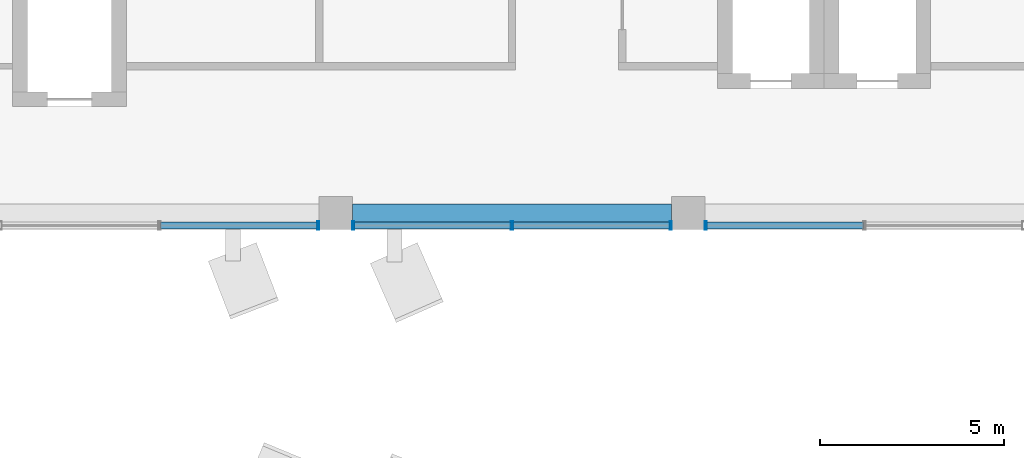
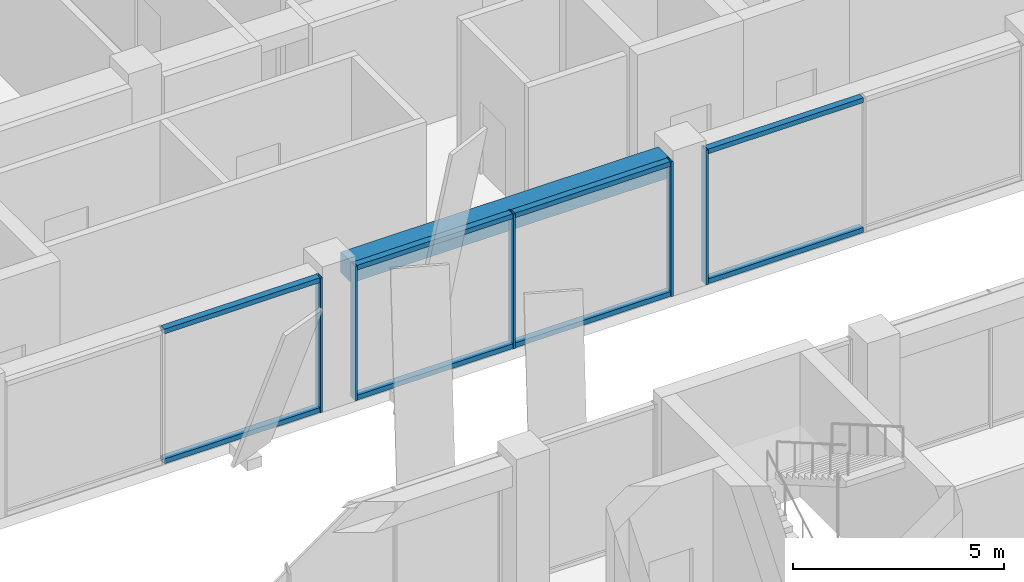
# One storey, part 10 of 36: 13 members, 1 beam, 3 elements without a shape of their own.
"""IFC4 building model written with IfcOpenShell, lengths in metres."""

from ifc_helpers import new_model, si_unit, direction, frame, origin, origin_2d, place, context, subcontext, project, spatial, rectangle, hollow_rectangle, extrude, material, layer, layer_set, material_profile, profile_set, type_object, element, aggregate, save


model = new_model("IFC4")

# Units and contexts
model_context = context("Model", 3, precision=1e-05, world=origin(), true_north=direction((0.0, 1.0)))
body_context = subcontext(model_context, "Body", "Model", "MODEL_VIEW")
ifc_project = project(units=[si_unit("LENGTHUNIT", "METRE"), si_unit("AREAUNIT", "SQUARE_METRE"), si_unit("VOLUMEUNIT", "CUBIC_METRE"), si_unit("PLANEANGLEUNIT", "RADIAN"), si_unit("MASSUNIT", "GRAM", prefix="KILO")], contexts=[model_context])

# Site, building, storey
site_placement = place(None, origin())
site = spatial("IfcSite", under=ifc_project, at=site_placement, CompositionType="ELEMENT")
building_placement = place(site_placement, origin())
building = spatial("IfcBuilding", under=site, at=building_placement, Name="Nzadi Deep Aquarium and Research Tower", CompositionType="ELEMENT")
storey_placement = place(building_placement, frame((0.0, 0.0, 36.10009765625)))
storey = spatial("IfcBuildingStorey", under=building, at=storey_placement, Name="L06", CompositionType="ELEMENT", Elevation=36.10009765625)

# Curtain wall, member
ifc_material_1 = material(Name="Aluminium unitised frame deep", Category="aluminium")
ifc_layer = layer(ifc_material_1, 0.22509765625)
ifc_layer_set = layer_set([ifc_layer], Name="Aluminium unitised frame deep")
curtain_wall_type = type_object("IfcCurtainWallType", Name="Curtain wall Unitised Deep 225", PredefinedType="NOTDEFINED", material=ifc_layer_set)
curtain_wall_1_placement = place(storey_placement, origin())
curtain_wall_1 = element("IfcCurtainWall", 1, at=curtain_wall_1_placement, inside=storey, type_object=curtain_wall_type, Name="Unitised curtain wall blade B south L06", PredefinedType="NOTDEFINED")
ifc_material_2 = material(Name="Aluminium unitised frame deep", Category="aluminium")
ifc_material_profile_1 = material_profile(ifc_material_2, hollow_rectangle(XDim=0.22509765625, YDim=0.06005859375, WallThickness=0.0048828125, at=origin_2d()))
ifc_profile_set_1 = profile_set([ifc_material_profile_1], Name="Aluminium unitised frame deep")
member_type_1 = type_object("IfcMemberType", Name="Mullion 60x225 Unitised Deep", PredefinedType="MULLION", material=ifc_profile_set_1)
member_1_placement = place(storey_placement, frame((18.719970703125, 27.262451171875, 0.0), z_axis=(0.0, 0.0, 1.0), x_axis=(0.0, 1.0, 0.0)))
member_1 = element("IfcMember", 2, at=member_1_placement, type_object=member_type_1, Name="CW089 mullion 3", PredefinedType="MULLION", context=body_context, shape_type="SweptSolid", body=[
    extrude(hollow_rectangle(XDim=0.22509765625, YDim=0.06005859375, WallThickness=0.0048828125, at=origin_2d()), origin(), (0.0, 0.0, 1.0), 3.89990234375),
])

# Curtain wall, members
curtain_wall_2_placement = place(storey_placement, origin())
curtain_wall_2 = element("IfcCurtainWall", 3, at=curtain_wall_2_placement, inside=storey, type_object=curtain_wall_type, Name="Unitised curtain wall blade B south L06", PredefinedType="NOTDEFINED")
member_2_placement = place(storey_placement, frame((19.679931640625, 27.262451171875, 0.0), z_axis=(0.0, 0.0, 1.0), x_axis=(0.0, 1.0, 0.0)))
member_2 = element("IfcMember", 4, at=member_2_placement, type_object=member_type_1, Name="CW090 mullion 1", PredefinedType="MULLION", context=body_context, shape_type="SweptSolid", body=[
    extrude(hollow_rectangle(XDim=0.22509765625, YDim=0.06005859375, WallThickness=0.0048828125, at=origin_2d()), origin(), (0.0, 0.0, 1.0), 3.89990234375),
])
member_3_placement = place(storey_placement, frame((24.0, 27.262451171875, 0.0), z_axis=(0.0, 0.0, 1.0), x_axis=(0.0, 1.0, 0.0)))
member_3 = element("IfcMember", 5, at=member_3_placement, type_object=member_type_1, Name="CW090 mullion 2", PredefinedType="MULLION", context=body_context, shape_type="SweptSolid", body=[
    extrude(hollow_rectangle(XDim=0.22509765625, YDim=0.06005859375, WallThickness=0.0048828125, at=origin_2d()), origin(), (0.0, 0.0, 1.0), 3.89990234375),
])
member_4_placement = place(storey_placement, frame((28.320068359375, 27.262451171875, 0.0), z_axis=(0.0, 0.0, 1.0), x_axis=(0.0, 1.0, 0.0)))
member_4 = element("IfcMember", 6, at=member_4_placement, type_object=member_type_1, Name="CW090 mullion 3", PredefinedType="MULLION", context=body_context, shape_type="SweptSolid", body=[
    extrude(hollow_rectangle(XDim=0.22509765625, YDim=0.06005859375, WallThickness=0.0048828125, at=origin_2d()), origin(), (0.0, 0.0, 1.0), 3.89990234375),
])

# Curtain wall, member
curtain_wall_3_placement = place(storey_placement, origin())
curtain_wall_3 = element("IfcCurtainWall", 7, at=curtain_wall_3_placement, inside=storey, type_object=curtain_wall_type, Name="Unitised curtain wall blade B south L06", PredefinedType="NOTDEFINED")
member_5_placement = place(storey_placement, frame((29.280029296875, 27.262451171875, 0.0), z_axis=(0.0, 0.0, 1.0), x_axis=(0.0, 1.0, 0.0)))
member_5 = element("IfcMember", 8, at=member_5_placement, type_object=member_type_1, Name="CW091 mullion 1", PredefinedType="MULLION", context=body_context, shape_type="SweptSolid", body=[
    extrude(hollow_rectangle(XDim=0.22509765625, YDim=0.06005859375, WallThickness=0.0048828125, at=origin_2d()), origin(), (0.0, 0.0, 1.0), 3.89990234375),
])

# Beam
ifc_material_3 = material(Name="Concrete C35/45", Category="concrete")
ifc_material_profile_2 = material_profile(ifc_material_3, rectangle(XDim=0.5, YDim=0.60009765625, at=origin_2d()))
ifc_profile_set_2 = profile_set([ifc_material_profile_2], Name="Concrete C35/45")
beam_type = type_object("IfcBeamType", Name="RC 500x600", PredefinedType="BEAM", material=ifc_profile_set_2)
beam_placement = place(storey_placement, frame((19.64990234375, 27.60009765625, 3.599853515625), z_axis=(1.0, 0.0, 0.0), x_axis=(0.0, 1.0, 0.0)))
element("IfcBeam", 9, at=beam_placement, inside=storey, type_object=beam_type, Name="B-Z1-L06-L4-3", PredefinedType="BEAM", context=body_context, shape_type="SweptSolid", body=[
    extrude(rectangle(XDim=0.5, YDim=0.60009765625, at=origin_2d()), origin(), (0.0, 0.0, 1.0), 8.7001953125),
])

# Member
ifc_material_4 = material(Name="Aluminium unitised frame deep", Category="aluminium")
ifc_material_profile_3 = material_profile(ifc_material_4, hollow_rectangle(XDim=0.179931640625, YDim=0.139892578125, WallThickness=0.0048828125, at=origin_2d()))
ifc_profile_set_3 = profile_set([ifc_material_profile_3], Name="Aluminium unitised frame deep")
member_type_2 = type_object("IfcMemberType", Name="Transom 140x180 Unitised Deep", PredefinedType="MULLION", material=ifc_profile_set_3)
member_6_placement = place(storey_placement, frame((14.429931640625, 27.262451171875, 0.06982421875), z_axis=(1.0, 0.0, 0.0), x_axis=(0.0, 1.0, 0.0)))
member_6 = element("IfcMember", 10, at=member_6_placement, type_object=member_type_2, Name="CW089 transom 2.1", PredefinedType="MULLION", context=body_context, shape_type="SweptSolid", body=[
    extrude(hollow_rectangle(XDim=0.179931640625, YDim=0.139892578125, WallThickness=0.0048828125, at=origin_2d()), origin(), (0.0, 0.0, 1.0), 4.260009765625),
])

member_7_placement = place(storey_placement, frame((14.429931640625, 27.262451171875, 3.829833984375), z_axis=(1.0, 0.0, 0.0), x_axis=(0.0, 1.0, 0.0)))
member_7 = element("IfcMember", 11, at=member_7_placement, type_object=member_type_2, Name="CW089 transom 2.2", PredefinedType="MULLION", context=body_context, shape_type="SweptSolid", body=[
    extrude(hollow_rectangle(XDim=0.179931640625, YDim=0.139892578125, WallThickness=0.0048828125, at=origin_2d()), origin(), (0.0, 0.0, 1.0), 4.260009765625),
])

aggregate(curtain_wall_1, [member_1, member_6, member_7])

member_8_placement = place(storey_placement, frame((19.7099609375, 27.262451171875, 0.06982421875), z_axis=(1.0, 0.0, 0.0), x_axis=(0.0, 1.0, 0.0)))
member_8 = element("IfcMember", 12, at=member_8_placement, type_object=member_type_2, Name="CW090 transom 1.1", PredefinedType="MULLION", context=body_context, shape_type="SweptSolid", body=[
    extrude(hollow_rectangle(XDim=0.179931640625, YDim=0.139892578125, WallThickness=0.0048828125, at=origin_2d()), origin(), (0.0, 0.0, 1.0), 4.260009765625),
])

member_9_placement = place(storey_placement, frame((19.7099609375, 27.262451171875, 3.829833984375), z_axis=(1.0, 0.0, 0.0), x_axis=(0.0, 1.0, 0.0)))
member_9 = element("IfcMember", 13, at=member_9_placement, type_object=member_type_2, Name="CW090 transom 1.2", PredefinedType="MULLION", context=body_context, shape_type="SweptSolid", body=[
    extrude(hollow_rectangle(XDim=0.179931640625, YDim=0.139892578125, WallThickness=0.0048828125, at=origin_2d()), origin(), (0.0, 0.0, 1.0), 4.260009765625),
])

member_10_placement = place(storey_placement, frame((24.030029296875, 27.262451171875, 0.06982421875), z_axis=(1.0, 0.0, 0.0), x_axis=(0.0, 1.0, 0.0)))
member_10 = element("IfcMember", 14, at=member_10_placement, type_object=member_type_2, Name="CW090 transom 2.1", PredefinedType="MULLION", context=body_context, shape_type="SweptSolid", body=[
    extrude(hollow_rectangle(XDim=0.179931640625, YDim=0.139892578125, WallThickness=0.0048828125, at=origin_2d()), origin(), (0.0, 0.0, 1.0), 4.260009765625),
])

member_11_placement = place(storey_placement, frame((24.030029296875, 27.262451171875, 3.829833984375), z_axis=(1.0, 0.0, 0.0), x_axis=(0.0, 1.0, 0.0)))
member_11 = element("IfcMember", 15, at=member_11_placement, type_object=member_type_2, Name="CW090 transom 2.2", PredefinedType="MULLION", context=body_context, shape_type="SweptSolid", body=[
    extrude(hollow_rectangle(XDim=0.179931640625, YDim=0.139892578125, WallThickness=0.0048828125, at=origin_2d()), origin(), (0.0, 0.0, 1.0), 4.260009765625),
])

aggregate(curtain_wall_2, [member_2, member_3, member_4, member_8, member_9, member_10, member_11])

member_12_placement = place(storey_placement, frame((29.31005859375, 27.262451171875, 0.06982421875), z_axis=(1.0, 0.0, 0.0), x_axis=(0.0, 1.0, 0.0)))
member_12 = element("IfcMember", 16, at=member_12_placement, type_object=member_type_2, Name="CW091 transom 1.1", PredefinedType="MULLION", context=body_context, shape_type="SweptSolid", body=[
    extrude(hollow_rectangle(XDim=0.179931640625, YDim=0.139892578125, WallThickness=0.0048828125, at=origin_2d()), origin(), (0.0, 0.0, 1.0), 4.260009765625),
])

member_13_placement = place(storey_placement, frame((29.31005859375, 27.262451171875, 3.829833984375), z_axis=(1.0, 0.0, 0.0), x_axis=(0.0, 1.0, 0.0)))
member_13 = element("IfcMember", 17, at=member_13_placement, type_object=member_type_2, Name="CW091 transom 1.2", PredefinedType="MULLION", context=body_context, shape_type="SweptSolid", body=[
    extrude(hollow_rectangle(XDim=0.179931640625, YDim=0.139892578125, WallThickness=0.0048828125, at=origin_2d()), origin(), (0.0, 0.0, 1.0), 4.260009765625),
])

aggregate(curtain_wall_3, [member_5, member_12, member_13])

save(model, "model.ifc")
